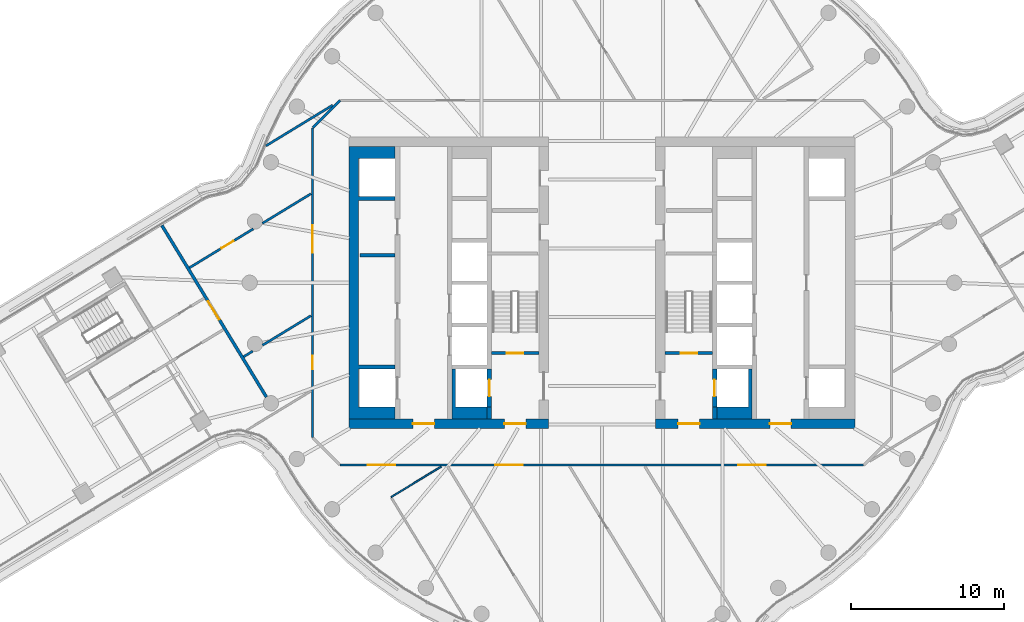
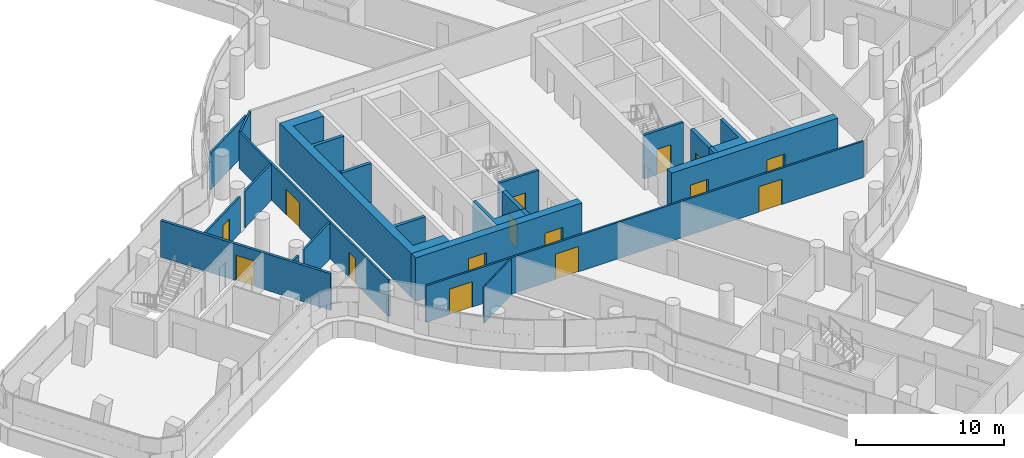
# One storey, part 22 of 35: 22 walls, 15 doors, 15 openings.
"""IFC4 building model written with IfcOpenShell, lengths in metres."""

from ifc_helpers import new_model, si_unit, direction, frame, frame_2d, origin, place, context, subcontext, project, spatial, polyline, rectangle, outline, extrude, material, layer, layer_set, type_object, element, fill, save


model = new_model("IFC4")

# Units and contexts
model_context = context("Model", 3, precision=1e-05, world=origin(), true_north=direction((0.0, 1.0)))
body_context = subcontext(model_context, "Body", "Model", "MODEL_VIEW")
ifc_project = project(units=[si_unit("LENGTHUNIT", "METRE"), si_unit("AREAUNIT", "SQUARE_METRE"), si_unit("VOLUMEUNIT", "CUBIC_METRE"), si_unit("PLANEANGLEUNIT", "RADIAN"), si_unit("MASSUNIT", "GRAM", prefix="KILO")], contexts=[model_context])

# Site, building, storey
site_placement = place(None, origin())
site = spatial("IfcSite", under=ifc_project, at=site_placement, CompositionType="ELEMENT")
building_placement = place(site_placement, origin())
building = spatial("IfcBuilding", under=site, at=building_placement, Name="Tamarind Cross Interchange Tower", CompositionType="ELEMENT")
storey_placement = place(building_placement, frame((0.0, 0.0, 148.0)))
storey = spatial("IfcBuildingStorey", under=building, at=storey_placement, Name="L36", CompositionType="ELEMENT", Elevation=148.0)

# Wall, openings, doors
ifc_material_1 = material(Name="Concrete C60", Category="concrete")
ifc_layer_1 = layer(ifc_material_1, 0.60009765625)
ifc_layer_set_1 = layer_set([ifc_layer_1], Name="Concrete C60")
wall_type_1 = type_object("IfcWallType", Name="Core wall 600 mm Concrete C60", PredefinedType="SHEAR", material=ifc_layer_set_1)
wall_1_placement = place(storey_placement, frame((-16.5, -9.199951171875, 0.0), z_axis=(0.0, 0.0, 1.0), x_axis=(1.0, 0.0, 0.0)))
wall_1 = element("IfcWall", 1, at=wall_1_placement, inside=storey, type_object=wall_type_1, Name="Core wall CWL-L36-W-S", PredefinedType="SHEAR", context=body_context, shape_type="SweptSolid", body=[
    extrude(rectangle(XDim=13.0, YDim=0.60009765625, at=frame_2d((6.5, 0.0))), origin(), (0.0, 0.0, 1.0), 3.610107421875),
])
opening_1_placement = place(wall_1_placement, frame((4.14990234375, 0.0, 0.0)))
opening_1 = element("IfcOpeningElement", 2, at=opening_1_placement, cuts=wall_1, Name="Opening DCW1", PredefinedType="OPENING", context=body_context, shape_type="SweptSolid", body=[
    extrude(rectangle(XDim=1.39990234375, YDim=2.10009765625, at=frame_2d((0.699951171875, 1.050048828125))), frame((0.0, 0.31005859375, 0.0), z_axis=(0.0, -1.0, 0.0), x_axis=(1.0, 0.0, 0.0)), (0.0, 0.0, 1.0), 0.6201171875),
])
opening_2_placement = place(wall_1_placement, frame((10.125, 0.0, 0.0)))
opening_2 = element("IfcOpeningElement", 3, at=opening_2_placement, cuts=wall_1, Name="Opening DCWF", PredefinedType="OPENING", context=body_context, shape_type="SweptSolid", body=[
    extrude(rectangle(XDim=1.39990234375, YDim=2.10009765625, at=frame_2d((0.699951171875, 1.050048828125))), frame((0.0, 0.31005859375, 0.0), z_axis=(0.0, -1.0, 0.0), x_axis=(1.0, 0.0, 0.0)), (0.0, 0.0, 1.0), 0.6201171875),
])
ifc_material_2 = material(Name="Steel, fire-resisting", Category="steel")
door_type_1 = type_object("IfcDoorType", Name="Core fire door 1400 x 2100 FD90", OperationType="SINGLE_SWING_LEFT", PredefinedType="DOOR", material=ifc_material_2)
door_1_placement = place(opening_1_placement, origin())
door_1 = element("IfcDoor", 4, at=door_1_placement, inside=storey, type_object=door_type_1, Name="L36 lift lobby door", OperationType="SINGLE_SWING_LEFT", OverallHeight=2.10009765625, OverallWidth=1.39990234375, PredefinedType="DOOR", context=body_context, shape_type="SweptSolid", body=[
    extrude(rectangle(XDim=1.39990234375, YDim=2.10009765625, at=frame_2d((0.699951171875, 1.050048828125))), frame((0.0, 0.02490234375, 0.0), z_axis=(0.0, -1.0, 0.0), x_axis=(1.0, 0.0, 0.0)), (0.0, 0.0, 1.0), 0.050048828125),
])
fill(opening_1, door_1)
door_2_placement = place(opening_2_placement, origin())
door_2 = element("IfcDoor", 5, at=door_2_placement, inside=storey, type_object=door_type_1, Name="L36 firefighting lobby end door", OperationType="SINGLE_SWING_LEFT", OverallHeight=2.10009765625, OverallWidth=1.39990234375, PredefinedType="DOOR", context=body_context, shape_type="SweptSolid", body=[
    extrude(rectangle(XDim=1.39990234375, YDim=2.10009765625, at=frame_2d((0.699951171875, 1.050048828125))), frame((0.0, 0.02490234375, 0.0), z_axis=(0.0, -1.0, 0.0), x_axis=(1.0, 0.0, 0.0)), (0.0, 0.0, 1.0), 0.050048828125),
])
fill(opening_2, door_2)

# Wall
wall_2_placement = place(storey_placement, origin())
element("IfcWall", 6, at=wall_2_placement, inside=storey, type_object=wall_type_1, Name="Core wall CWL-L36-W-A", PredefinedType="SHEAR", context=body_context, shape_type="SweptSolid", body=[
    extrude(outline(polyline([(-13.5, -8.125), (-15.89990234375, -8.125), (-15.89990234375, -5.625), (-13.5, -5.625), (-13.5, -5.375), (-15.89990234375, -5.375), (-15.89990234375, 5.375), (-13.5, 5.375), (-13.5, 5.625), (-15.89990234375, 5.625), (-15.89990234375, 8.125), (-13.5, 8.125), (-13.5, 8.89990234375), (-15.89990234375, 8.89990234375), (-16.5, 8.89990234375), (-16.5, -8.89990234375), (-15.89990234375, -8.89990234375), (-13.5, -8.89990234375), (-13.5, -8.125)])), origin(), (0.0, 0.0, 1.0), 3.610107421875),
])

# Wall, openings, doors
wall_3_placement = place(storey_placement, frame((16.5, -9.199951171875, 0.0), z_axis=(0.0, 0.0, 1.0), x_axis=(-1.0, 0.0, 0.0)))
wall_3 = element("IfcWall", 7, at=wall_3_placement, inside=storey, type_object=wall_type_1, Name="Core wall CWL-L36-E-S", PredefinedType="SHEAR", context=body_context, shape_type="SweptSolid", body=[
    extrude(rectangle(XDim=13.0, YDim=0.60009765625, at=frame_2d((6.5, 0.0))), origin(), (0.0, 0.0, 1.0), 3.610107421875),
])
opening_3_placement = place(wall_3_placement, frame((4.14990234375, 0.0, 0.0)))
opening_3 = element("IfcOpeningElement", 8, at=opening_3_placement, cuts=wall_3, Name="Opening DCE1", PredefinedType="OPENING", context=body_context, shape_type="SweptSolid", body=[
    extrude(rectangle(XDim=1.39990234375, YDim=2.10009765625, at=frame_2d((0.699951171875, 1.050048828125))), frame((0.0, 0.31005859375, 0.0), z_axis=(0.0, -1.0, 0.0), x_axis=(1.0, 0.0, 0.0)), (0.0, 0.0, 1.0), 0.6201171875),
])
opening_4_placement = place(wall_3_placement, frame((10.125, 0.0, 0.0)))
opening_4 = element("IfcOpeningElement", 9, at=opening_4_placement, cuts=wall_3, Name="Opening DCEF", PredefinedType="OPENING", context=body_context, shape_type="SweptSolid", body=[
    extrude(rectangle(XDim=1.39990234375, YDim=2.10009765625, at=frame_2d((0.699951171875, 1.050048828125))), frame((0.0, 0.31005859375, 0.0), z_axis=(0.0, -1.0, 0.0), x_axis=(1.0, 0.0, 0.0)), (0.0, 0.0, 1.0), 0.6201171875),
])
door_3_placement = place(opening_3_placement, origin())
door_3 = element("IfcDoor", 10, at=door_3_placement, inside=storey, type_object=door_type_1, Name="L36 lift lobby door", OperationType="SINGLE_SWING_LEFT", OverallHeight=2.10009765625, OverallWidth=1.39990234375, PredefinedType="DOOR", context=body_context, shape_type="SweptSolid", body=[
    extrude(rectangle(XDim=1.39990234375, YDim=2.10009765625, at=frame_2d((0.699951171875, 1.050048828125))), frame((0.0, 0.02490234375, 0.0), z_axis=(0.0, -1.0, 0.0), x_axis=(1.0, 0.0, 0.0)), (0.0, 0.0, 1.0), 0.050048828125),
])
fill(opening_3, door_3)
door_4_placement = place(opening_4_placement, origin())
door_4 = element("IfcDoor", 11, at=door_4_placement, inside=storey, type_object=door_type_1, Name="L36 firefighting lobby end door", OperationType="SINGLE_SWING_LEFT", OverallHeight=2.10009765625, OverallWidth=1.39990234375, PredefinedType="DOOR", context=body_context, shape_type="SweptSolid", body=[
    extrude(rectangle(XDim=1.39990234375, YDim=2.10009765625, at=frame_2d((0.699951171875, 1.050048828125))), frame((0.0, 0.02490234375, 0.0), z_axis=(0.0, -1.0, 0.0), x_axis=(1.0, 0.0, 0.0)), (0.0, 0.0, 1.0), 0.050048828125),
])
fill(opening_4, door_4)

# Walls
ifc_layer_2 = layer(ifc_material_1, 0.300048828125)
ifc_layer_set_2 = layer_set([ifc_layer_2], Name="Concrete C60")
wall_type_2 = type_object("IfcWallType", Name="Core web wall 300 mm Concrete C60", PredefinedType="SHEAR", material=ifc_layer_set_2)
wall_4_placement = place(storey_placement, origin())
element("IfcWall", 12, at=wall_4_placement, inside=storey, type_object=wall_type_2, Name="Core wall CWL-L36-W-BS", PredefinedType="SHEAR", context=body_context, shape_type="SweptSolid", body=[
    extrude(outline(polyline([(-7.5, -8.125), (-9.550048828125, -8.125), (-9.550048828125, -5.625), (-9.800048828125, -5.625), (-9.800048828125, -8.125), (-9.800048828125, -8.89990234375), (-7.5, -8.89990234375), (-7.5, -8.125)])), origin(), (0.0, 0.0, 1.0), 3.610107421875),
])
wall_5_placement = place(storey_placement, frame((-7.35009765625, -8.89990234375, 0.0), z_axis=(0.0, 0.0, 1.0), x_axis=(0.0, 1.0, 0.0)))
element("IfcWall", 13, at=wall_5_placement, inside=storey, type_object=wall_type_2, Name="Core wall CWL-L36-W-BW", PredefinedType="SHEAR", context=body_context, shape_type="SweptSolid", body=[
    extrude(rectangle(XDim=0.77490234375, YDim=0.300048828125, at=frame_2d((0.387451171875, 0.0))), origin(), (0.0, 0.0, 1.0), 3.610107421875),
])

# Wall, opening, door
wall_6_placement = place(storey_placement, frame((-7.35009765625, -8.125, 0.0), z_axis=(0.0, 0.0, 1.0), x_axis=(0.0, 1.0, 0.0)))
wall_6 = element("IfcWall", 14, at=wall_6_placement, inside=storey, type_object=wall_type_2, Name="Core wall CWL-L36-W-FF", PredefinedType="SHEAR", context=body_context, shape_type="SweptSolid", body=[
    extrude(rectangle(XDim=2.5, YDim=0.300048828125, at=frame_2d((1.25, 0.0))), origin(), (0.0, 0.0, 1.0), 3.610107421875),
])
opening_5_placement = place(wall_6_placement, frame((0.699951171875, 0.0, 0.0)))
opening_5 = element("IfcOpeningElement", 15, at=opening_5_placement, cuts=wall_6, Name="Opening LD7L36", PredefinedType="OPENING", context=body_context, shape_type="SweptSolid", body=[
    extrude(rectangle(XDim=1.10009765625, YDim=2.10009765625, at=frame_2d((0.550048828125, 1.050048828125))), frame((0.0, 0.159912109375, 0.0), z_axis=(0.0, -1.0, 0.0), x_axis=(1.0, 0.0, 0.0)), (0.0, 0.0, 1.0), 0.320068359375),
])
ifc_material_3 = material(Name="Stainless steel panel", Category="steel")
door_type_2 = type_object("IfcDoorType", Name="Lift landing door 1100 x 2100 E 120", OperationType="SLIDING_TO_LEFT", PredefinedType="DOOR", material=ifc_material_3)
door_5_placement = place(opening_5_placement, origin())
door_5 = element("IfcDoor", 16, at=door_5_placement, inside=storey, type_object=door_type_2, Name="L36 landing door LF7", OperationType="SLIDING_TO_LEFT", OverallHeight=2.10009765625, OverallWidth=1.10009765625, PredefinedType="DOOR", context=body_context, shape_type="SweptSolid", body=[
    extrude(rectangle(XDim=1.10009765625, YDim=2.10009765625, at=frame_2d((0.550048828125, 1.050048828125))), frame((0.0, 0.02490234375, 0.0), z_axis=(0.0, -1.0, 0.0), x_axis=(1.0, 0.0, 0.0)), (0.0, 0.0, 1.0), 0.050048828125),
])
fill(opening_5, door_5)

# Walls
wall_7_placement = place(storey_placement, origin())
element("IfcWall", 17, at=wall_7_placement, inside=storey, type_object=wall_type_2, Name="Core wall CWL-L36-E-BS", PredefinedType="SHEAR", context=body_context, shape_type="SweptSolid", body=[
    extrude(outline(polyline([(7.5, -8.125), (7.5, -8.89990234375), (9.800048828125, -8.89990234375), (9.800048828125, -8.125), (9.800048828125, -5.625), (9.550048828125, -5.625), (9.550048828125, -8.125), (7.5, -8.125)])), origin(), (0.0, 0.0, 1.0), 3.610107421875),
])
wall_8_placement = place(storey_placement, frame((7.35009765625, -8.89990234375, 0.0), z_axis=(0.0, 0.0, 1.0), x_axis=(0.0, 1.0, 0.0)))
element("IfcWall", 18, at=wall_8_placement, inside=storey, type_object=wall_type_2, Name="Core wall CWL-L36-E-BW", PredefinedType="SHEAR", context=body_context, shape_type="SweptSolid", body=[
    extrude(rectangle(XDim=0.77490234375, YDim=0.300048828125, at=frame_2d((0.387451171875, 0.0))), origin(), (0.0, 0.0, 1.0), 3.610107421875),
])

# Wall, opening, door
wall_9_placement = place(storey_placement, frame((7.35009765625, -8.125, 0.0), z_axis=(0.0, 0.0, 1.0), x_axis=(0.0, 1.0, 0.0)))
wall_9 = element("IfcWall", 19, at=wall_9_placement, inside=storey, type_object=wall_type_2, Name="Core wall CWL-L36-E-FF", PredefinedType="SHEAR", context=body_context, shape_type="SweptSolid", body=[
    extrude(rectangle(XDim=2.5, YDim=0.300048828125, at=frame_2d((1.25, 0.0))), origin(), (0.0, 0.0, 1.0), 3.610107421875),
])
opening_6_placement = place(wall_9_placement, frame((0.699951171875, 0.0, 0.0)))
opening_6 = element("IfcOpeningElement", 20, at=opening_6_placement, cuts=wall_9, Name="Opening LD19L36", PredefinedType="OPENING", context=body_context, shape_type="SweptSolid", body=[
    extrude(rectangle(XDim=1.10009765625, YDim=2.10009765625, at=frame_2d((0.550048828125, 1.050048828125))), frame((0.0, 0.159912109375, 0.0), z_axis=(0.0, -1.0, 0.0), x_axis=(1.0, 0.0, 0.0)), (0.0, 0.0, 1.0), 0.320068359375),
])
door_6_placement = place(opening_6_placement, origin())
door_6 = element("IfcDoor", 21, at=door_6_placement, inside=storey, type_object=door_type_2, Name="L36 landing door LF19", OperationType="SLIDING_TO_LEFT", OverallHeight=2.10009765625, OverallWidth=1.10009765625, PredefinedType="DOOR", context=body_context, shape_type="SweptSolid", body=[
    extrude(rectangle(XDim=1.10009765625, YDim=2.10009765625, at=frame_2d((0.550048828125, 1.050048828125))), frame((0.0, 0.02490234375, 0.0), z_axis=(0.0, -1.0, 0.0), x_axis=(1.0, 0.0, 0.0)), (0.0, 0.0, 1.0), 0.050048828125),
])
fill(opening_6, door_6)

# Wall
ifc_material_4 = material(Name="Gypsum board partition on steel studs", Category="steel")
ifc_layer_3 = layer(ifc_material_4, 0.10009765625)
ifc_layer_set_3 = layer_set([ifc_layer_3], Name="Gypsum board partition on steel studs")
wall_type_3 = type_object("IfcWallType", Name="Partition 100 mm EI 120", PredefinedType="PARTITIONING", material=ifc_layer_set_3)
wall_10_placement = place(storey_placement, frame((-13.77294921875, -13.99609375, 0.0), z_axis=(0.0, 0.0, 1.0), x_axis=(0.85407452776, 0.520150652245, 0.0)))
element("IfcWall", 22, at=wall_10_placement, inside=storey, type_object=wall_type_3, Name="Partition L36-047", PredefinedType="PARTITIONING", context=body_context, shape_type="SweptSolid", body=[
    extrude(rectangle(XDim=3.83984375, YDim=0.10009765625, at=frame_2d((1.919921875, 0.0))), origin(), (0.0, 0.0, 1.0), 3.010009765625),
])

# Wall, openings, doors
ifc_layer_4 = layer(ifc_material_4, 0.14990234375)
ifc_layer_set_4 = layer_set([ifc_layer_4], Name="Gypsum board partition on steel studs")
wall_type_4 = type_object("IfcWallType", Name="Partition 150 mm EI 120", PredefinedType="PARTITIONING", material=ifc_layer_set_4)
wall_11_placement = place(storey_placement, frame((-17.10009765625, -11.89990234375, 0.0), z_axis=(0.0, 0.0, 1.0), x_axis=(1.0, 0.0, 0.0)))
wall_11 = element("IfcWall", 23, at=wall_11_placement, inside=storey, type_object=wall_type_4, Name="Partition L36-034", PredefinedType="PARTITIONING", context=body_context, shape_type="SweptSolid", body=[
    extrude(rectangle(XDim=34.1650390625, YDim=0.14990234375, at=frame_2d((17.08251953125, 0.0))), origin(), (0.0, 0.0, 1.0), 3.010009765625),
])
opening_7_placement = place(wall_11_placement, frame((10.116943359375, 0.0, 0.0)))
opening_7 = element("IfcOpeningElement", 24, at=opening_7_placement, cuts=wall_11, Name="Opening D21", PredefinedType="OPENING", context=body_context, shape_type="SweptSolid", body=[
    extrude(rectangle(XDim=1.800048828125, YDim=2.10009765625, at=frame_2d((0.89990234375, 1.050048828125))), frame((0.0, 0.0849609375, 0.0), z_axis=(0.0, -1.0, 0.0), x_axis=(1.0, 0.0, 0.0)), (0.0, 0.0, 1.0), 0.169921875),
])
opening_8_placement = place(wall_11_placement, frame((1.800048828125, 0.0, 0.0)))
opening_8 = element("IfcOpeningElement", 25, at=opening_8_placement, cuts=wall_11, Name="Opening D22", PredefinedType="OPENING", context=body_context, shape_type="SweptSolid", body=[
    extrude(rectangle(XDim=1.800048828125, YDim=2.10009765625, at=frame_2d((0.89990234375, 1.050048828125))), frame((0.0, 0.0849609375, 0.0), z_axis=(0.0, -1.0, 0.0), x_axis=(1.0, 0.0, 0.0)), (0.0, 0.0, 1.0), 0.169921875),
])
opening_9_placement = place(wall_11_placement, frame((25.9970703125, 0.0, 0.0)))
opening_9 = element("IfcOpeningElement", 26, at=opening_9_placement, cuts=wall_11, Name="Opening D23", PredefinedType="OPENING", context=body_context, shape_type="SweptSolid", body=[
    extrude(rectangle(XDim=1.800048828125, YDim=2.10009765625, at=frame_2d((0.89990234375, 1.050048828125))), frame((0.0, 0.0849609375, 0.0), z_axis=(0.0, -1.0, 0.0), x_axis=(1.0, 0.0, 0.0)), (0.0, 0.0, 1.0), 0.169921875),
])
ifc_material_5 = material(Name="Fire-resisting door set")
door_type_3 = type_object("IfcDoorType", Name="Interior door 1800 x 2100 FD60S", OperationType="DOUBLE_DOOR_SINGLE_SWING", PredefinedType="DOOR", material=ifc_material_5)
door_7_placement = place(opening_7_placement, origin())
door_7 = element("IfcDoor", 27, at=door_7_placement, inside=storey, type_object=door_type_3, Name="Door D21", OperationType="DOUBLE_DOOR_SINGLE_SWING", OverallHeight=2.10009765625, OverallWidth=1.800048828125, PredefinedType="DOOR", context=body_context, shape_type="SweptSolid", body=[
    extrude(rectangle(XDim=1.800048828125, YDim=2.10009765625, at=frame_2d((0.89990234375, 1.050048828125))), frame((0.0, 0.02490234375, 0.0), z_axis=(0.0, -1.0, 0.0), x_axis=(1.0, 0.0, 0.0)), (0.0, 0.0, 1.0), 0.050048828125),
])
fill(opening_7, door_7)
door_8_placement = place(opening_8_placement, frame((1.800048828125, 0.0, 0.0), z_axis=(0.0, 0.0, 1.0), x_axis=(-1.0, 0.0, 0.0)))
door_8 = element("IfcDoor", 28, at=door_8_placement, inside=storey, type_object=door_type_3, Name="Door D22", OperationType="DOUBLE_DOOR_SINGLE_SWING", OverallHeight=2.10009765625, OverallWidth=1.800048828125, PredefinedType="DOOR", context=body_context, shape_type="SweptSolid", body=[
    extrude(rectangle(XDim=1.800048828125, YDim=2.10009765625, at=frame_2d((0.89990234375, 1.050048828125))), frame((0.0, 0.02490234375, 0.0), z_axis=(0.0, -1.0, 0.0), x_axis=(1.0, 0.0, 0.0)), (0.0, 0.0, 1.0), 0.050048828125),
])
fill(opening_8, door_8)
door_9_placement = place(opening_9_placement, frame((1.800048828125, 0.0, 0.0), z_axis=(0.0, 0.0, 1.0), x_axis=(-1.0, 0.0, 0.0)))
door_9 = element("IfcDoor", 29, at=door_9_placement, inside=storey, type_object=door_type_3, Name="Door D23", OperationType="DOUBLE_DOOR_SINGLE_SWING", OverallHeight=2.10009765625, OverallWidth=1.800048828125, PredefinedType="DOOR", context=body_context, shape_type="SweptSolid", body=[
    extrude(rectangle(XDim=1.800048828125, YDim=2.10009765625, at=frame_2d((0.89990234375, 1.050048828125))), frame((0.0, 0.02490234375, 0.0), z_axis=(0.0, -1.0, 0.0), x_axis=(1.0, 0.0, 0.0)), (0.0, 0.0, 1.0), 0.050048828125),
])
fill(opening_9, door_9)

# Wall, opening, door
wall_12_placement = place(storey_placement, frame((-26.9287109375, 0.97900390625, 0.0), z_axis=(0.0, 0.0, 1.0), x_axis=(0.854066999717, 0.520163012905, 0.0)))
wall_12 = element("IfcWall", 30, at=wall_12_placement, inside=storey, type_object=wall_type_4, Name="Partition L36-038", PredefinedType="PARTITIONING", context=body_context, shape_type="SweptSolid", body=[
    extrude(rectangle(XDim=4.874755859375, YDim=0.14990234375, at=frame_2d((2.4375, 0.0))), origin(), (0.0, 0.0, 1.0), 3.010009765625),
])
opening_10_placement = place(wall_12_placement, frame((2.449951171875, 0.0, 0.0)))
opening_10 = element("IfcOpeningElement", 31, at=opening_10_placement, cuts=wall_12, Name="Opening D30", PredefinedType="OPENING", context=body_context, shape_type="SweptSolid", body=[
    extrude(rectangle(XDim=0.89990234375, YDim=2.10009765625, at=frame_2d((0.449951171875, 1.050048828125))), frame((0.0, 0.0849609375, 0.0), z_axis=(0.0, -1.0, 0.0), x_axis=(1.0, 0.0, 0.0)), (0.0, 0.0, 1.0), 0.169921875),
])
door_type_4 = type_object("IfcDoorType", Name="Interior door 900 x 2100 FD60S", OperationType="SINGLE_SWING_LEFT", PredefinedType="DOOR", material=ifc_material_5)
door_10_placement = place(opening_10_placement, origin())
door_10 = element("IfcDoor", 32, at=door_10_placement, inside=storey, type_object=door_type_4, Name="Door D30", OperationType="SINGLE_SWING_LEFT", OverallHeight=2.10009765625, OverallWidth=0.89990234375, PredefinedType="DOOR", context=body_context, shape_type="SweptSolid", body=[
    extrude(rectangle(XDim=0.89990234375, YDim=2.10009765625, at=frame_2d((0.449951171875, 1.050048828125))), frame((0.0, 0.02490234375, 0.0), z_axis=(0.0, -1.0, 0.0), x_axis=(1.0, 0.0, 0.0)), (0.0, 0.0, 1.0), 0.050048828125),
])
fill(opening_10, door_10)

# Walls
wall_13_placement = place(storey_placement, frame((-22.172119140625, 3.8759765625, 0.0), z_axis=(0.0, 0.0, 1.0), x_axis=(0.854053899757, 0.520184521406, 0.0)))
element("IfcWall", 33, at=wall_13_placement, inside=storey, type_object=wall_type_4, Name="Partition L36-039", PredefinedType="PARTITIONING", context=body_context, shape_type="SweptSolid", body=[
    extrude(rectangle(XDim=3.71630859375, YDim=0.14990234375, at=frame_2d((1.858154296875, 0.0))), origin(), (0.0, 0.0, 1.0), 3.010009765625),
])
wall_14_placement = place(storey_placement, frame((-23.3916015625, -4.827880859375, 0.0), z_axis=(0.0, 0.0, 1.0), x_axis=(0.854171525625, 0.519991350708, 0.0)))
element("IfcWall", 34, at=wall_14_placement, inside=storey, type_object=wall_type_4, Name="Partition L36-040", PredefinedType="PARTITIONING", context=body_context, shape_type="SweptSolid", body=[
    extrude(rectangle(XDim=0.69775390625, YDim=0.14990234375, at=frame_2d((0.348876953125, 0.0))), origin(), (0.0, 0.0, 1.0), 3.010009765625),
])
wall_15_placement = place(storey_placement, frame((-22.163818359375, -4.080322265625, 0.0), z_axis=(0.0, 0.0, 1.0), x_axis=(0.854120951194, 0.520074418454, 0.0)))
element("IfcWall", 35, at=wall_15_placement, inside=storey, type_object=wall_type_4, Name="Partition L36-041", PredefinedType="PARTITIONING", context=body_context, shape_type="SweptSolid", body=[
    extrude(rectangle(XDim=3.706298828125, YDim=0.14990234375, at=frame_2d((1.85302734375, 0.0))), origin(), (0.0, 0.0, 1.0), 3.010009765625),
])
wall_16_placement = place(storey_placement, frame((-21.939453125, 8.935302734375, 0.0), z_axis=(0.0, 0.0, 1.0), x_axis=(0.854032920273, 0.520218964562, 0.0)))
element("IfcWall", 36, at=wall_16_placement, inside=storey, type_object=wall_type_4, Name="Partition L36-043", PredefinedType="PARTITIONING", context=body_context, shape_type="SweptSolid", body=[
    extrude(rectangle(XDim=5.09619140625, YDim=0.14990234375, at=frame_2d((2.548095703125, 0.0))), origin(), (0.0, 0.0, 1.0), 3.010009765625),
])
wall_17_placement = place(storey_placement, frame((-18.87158203125, 10.12841796875, 0.0), z_axis=(0.0, 0.0, 1.0), x_axis=(0.707106781187, 0.707106781187, 0.0)))
element("IfcWall", 37, at=wall_17_placement, inside=storey, type_object=wall_type_4, Name="Partition L36-072", PredefinedType="PARTITIONING", context=body_context, shape_type="SweptSolid", body=[
    extrude(rectangle(XDim=2.50537109375, YDim=0.14990234375, at=frame_2d((1.252685546875, 0.0))), origin(), (0.0, 0.0, 1.0), 3.010009765625),
])

# Wall, openings, doors
wall_18_placement = place(storey_placement, frame((-18.89990234375, -10.10009765625, 0.0), z_axis=(0.0, 0.0, 1.0), x_axis=(0.0, 1.0, 0.0)))
wall_18 = element("IfcWall", 38, at=wall_18_placement, inside=storey, type_object=wall_type_4, Name="Partition L36-074", PredefinedType="PARTITIONING", context=body_context, shape_type="SweptSolid", body=[
    extrude(rectangle(XDim=20.2001953125, YDim=0.14990234375, at=frame_2d((10.10009765625, 0.0))), origin(), (0.0, 0.0, 1.0), 3.010009765625),
])
opening_11_placement = place(wall_18_placement, frame((12.056884765625, 0.0, 0.0)))
opening_11 = element("IfcOpeningElement", 39, at=opening_11_placement, cuts=wall_18, Name="Opening D40", PredefinedType="OPENING", context=body_context, shape_type="SweptSolid", body=[
    extrude(rectangle(XDim=1.800048828125, YDim=2.10009765625, at=frame_2d((0.89990234375, 1.050048828125))), frame((0.0, 0.0849609375, 0.0), z_axis=(0.0, -1.0, 0.0), x_axis=(1.0, 0.0, 0.0)), (0.0, 0.0, 1.0), 0.169921875),
])
opening_12_placement = place(wall_18_placement, frame((4.43896484375, 0.0, 0.0)))
opening_12 = element("IfcOpeningElement", 40, at=opening_12_placement, cuts=wall_18, Name="Opening D41", PredefinedType="OPENING", context=body_context, shape_type="SweptSolid", body=[
    extrude(rectangle(XDim=0.89990234375, YDim=2.10009765625, at=frame_2d((0.449951171875, 1.050048828125))), frame((0.0, 0.0849609375, 0.0), z_axis=(0.0, -1.0, 0.0), x_axis=(1.0, 0.0, 0.0)), (0.0, 0.0, 1.0), 0.169921875),
])
door_11_placement = place(opening_11_placement, frame((1.800048828125, 0.0, 0.0), z_axis=(0.0, 0.0, 1.0), x_axis=(-1.0, 0.0, 0.0)))
door_11 = element("IfcDoor", 41, at=door_11_placement, inside=storey, type_object=door_type_3, Name="Door D40", OperationType="DOUBLE_DOOR_SINGLE_SWING", OverallHeight=2.10009765625, OverallWidth=1.800048828125, PredefinedType="DOOR", context=body_context, shape_type="SweptSolid", body=[
    extrude(rectangle(XDim=1.800048828125, YDim=2.10009765625, at=frame_2d((0.89990234375, 1.050048828125))), frame((0.0, 0.02490234375, 0.0), z_axis=(0.0, -1.0, 0.0), x_axis=(1.0, 0.0, 0.0)), (0.0, 0.0, 1.0), 0.050048828125),
])
fill(opening_11, door_11)
door_12_placement = place(opening_12_placement, origin())
door_12 = element("IfcDoor", 42, at=door_12_placement, inside=storey, type_object=door_type_4, Name="Door D41", OperationType="SINGLE_SWING_RIGHT", OverallHeight=2.10009765625, OverallWidth=0.89990234375, PredefinedType="DOOR", context=body_context, shape_type="SweptSolid", body=[
    extrude(rectangle(XDim=0.89990234375, YDim=2.10009765625, at=frame_2d((0.449951171875, 1.050048828125))), frame((0.0, 0.02490234375, 0.0), z_axis=(0.0, -1.0, 0.0), x_axis=(1.0, 0.0, 0.0)), (0.0, 0.0, 1.0), 0.050048828125),
])
fill(opening_12, door_12)

# Wall, opening, door
ifc_layer_5 = layer(ifc_material_4, 0.199951171875)
ifc_layer_set_5 = layer_set([ifc_layer_5], Name="Gypsum board partition on steel studs")
wall_type_5 = type_object("IfcWallType", Name="Partition 200 mm EI 180", PredefinedType="PARTITIONING", material=ifc_layer_set_5)
wall_19_placement = place(storey_placement, frame((-28.730224609375, 3.74462890625, 0.0), z_axis=(0.0, 0.0, 1.0), x_axis=(0.520124017565, -0.854090748312, 0.0)))
wall_19 = element("IfcWall", 43, at=wall_19_placement, inside=storey, type_object=wall_type_5, Name="Partition L36-003", PredefinedType="PARTITIONING", context=body_context, shape_type="SweptSolid", body=[
    extrude(rectangle(XDim=13.121337890625, YDim=0.199951171875, at=frame_2d((6.560546875, 0.0))), origin(), (0.0, 0.0, 1.0), 3.010009765625),
])
opening_13_placement = place(wall_19_placement, frame((5.799072265625, 0.0, 0.0)))
opening_13 = element("IfcOpeningElement", 44, at=opening_13_placement, cuts=wall_19, Name="Opening D02", PredefinedType="OPENING", context=body_context, shape_type="SweptSolid", body=[
    extrude(rectangle(XDim=1.39990234375, YDim=2.10009765625, at=frame_2d((0.699951171875, 1.050048828125))), frame((0.0, 0.10986328125, 0.0), z_axis=(0.0, -1.0, 0.0), x_axis=(1.0, 0.0, 0.0)), (0.0, 0.0, 1.0), 0.219970703125),
])
door_type_5 = type_object("IfcDoorType", Name="Interior door 1400 x 2100 FD120S", OperationType="DOUBLE_DOOR_SINGLE_SWING", PredefinedType="DOOR", material=ifc_material_5)
door_13_placement = place(opening_13_placement, origin())
door_13 = element("IfcDoor", 45, at=door_13_placement, inside=storey, type_object=door_type_5, Name="Door D02", OperationType="DOUBLE_DOOR_SINGLE_SWING", OverallHeight=2.10009765625, OverallWidth=1.39990234375, PredefinedType="DOOR", context=body_context, shape_type="SweptSolid", body=[
    extrude(rectangle(XDim=1.39990234375, YDim=2.10009765625, at=frame_2d((0.699951171875, 1.050048828125))), frame((0.0, 0.02490234375, 0.0), z_axis=(0.0, -1.0, 0.0), x_axis=(1.0, 0.0, 0.0)), (0.0, 0.0, 1.0), 0.050048828125),
])
fill(opening_13, door_13)

# Wall
ifc_material_6 = material(Name="Concrete C40", Category="concrete")
ifc_layer_6 = layer(ifc_material_6, 0.25)
ifc_layer_set_6 = layer_set([ifc_layer_6], Name="Concrete C40")
wall_type_6 = type_object("IfcWallType", Name="Shaft and lobby wall 250 mm Concrete C40", PredefinedType="PARTITIONING", material=ifc_layer_set_6)
wall_20_placement = place(storey_placement, frame((-15.800048828125, 1.7919921875, 0.0), z_axis=(0.0, 0.0, 1.0), x_axis=(1.0, 0.0, 0.0)))
element("IfcWall", 46, at=wall_20_placement, inside=storey, type_object=wall_type_6, Name="Shaft wall CWL-L36-W-FPA1", PredefinedType="PARTITIONING", context=body_context, shape_type="SweptSolid", body=[
    extrude(rectangle(XDim=2.300048828125, YDim=0.25, at=frame_2d((1.14990234375, 0.0))), origin(), (0.0, 0.0, 1.0), 3.610107421875),
])

# Wall, opening, door
ifc_layer_7 = layer(ifc_material_6, 0.199951171875)
ifc_layer_set_7 = layer_set([ifc_layer_7], Name="Concrete C40")
wall_type_7 = type_object("IfcWallType", Name="Stair shaft wall 200 mm Concrete C40", PredefinedType="SHEAR", material=ifc_layer_set_7)
wall_21_placement = place(storey_placement, frame((-7.199951171875, -4.60009765625, 0.0), z_axis=(0.0, 0.0, 1.0), x_axis=(1.0, 0.0, 0.0)))
wall_21 = element("IfcWall", 47, at=wall_21_placement, inside=storey, type_object=wall_type_7, Name="Core wall CWL-L36-W-SD", PredefinedType="SHEAR", context=body_context, shape_type="SweptSolid", body=[
    extrude(rectangle(XDim=3.099853515625, YDim=0.199951171875, at=frame_2d((1.5498046875, 0.0))), origin(), (0.0, 0.0, 1.0), 3.610107421875),
])
opening_14_placement = place(wall_21_placement, frame((0.97509765625, 0.0, 0.0)))
opening_14 = element("IfcOpeningElement", 48, at=opening_14_placement, cuts=wall_21, Name="Opening DCW6", PredefinedType="OPENING", context=body_context, shape_type="SweptSolid", body=[
    extrude(rectangle(XDim=1.10009765625, YDim=2.10009765625, at=frame_2d((0.550048828125, 1.050048828125))), frame((0.0, 0.10986328125, 0.0), z_axis=(0.0, -1.0, 0.0), x_axis=(1.0, 0.0, 0.0)), (0.0, 0.0, 1.0), 0.219970703125),
])
door_type_6 = type_object("IfcDoorType", Name="Core fire door 1100 x 2100 FD90", OperationType="SINGLE_SWING_LEFT", PredefinedType="DOOR", material=ifc_material_2)
door_14_placement = place(opening_14_placement, origin())
door_14 = element("IfcDoor", 49, at=door_14_placement, inside=storey, type_object=door_type_6, Name="L36 stair door", OperationType="SINGLE_SWING_LEFT", OverallHeight=2.10009765625, OverallWidth=1.10009765625, PredefinedType="DOOR", context=body_context, shape_type="SweptSolid", body=[
    extrude(rectangle(XDim=1.10009765625, YDim=2.10009765625, at=frame_2d((0.550048828125, 1.050048828125))), frame((0.0, 0.02490234375, 0.0), z_axis=(0.0, -1.0, 0.0), x_axis=(1.0, 0.0, 0.0)), (0.0, 0.0, 1.0), 0.050048828125),
])
fill(opening_14, door_14)

wall_22_placement = place(storey_placement, frame((7.199951171875, -4.60009765625, 0.0), z_axis=(0.0, 0.0, 1.0), x_axis=(-1.0, 0.0, 0.0)))
wall_22 = element("IfcWall", 50, at=wall_22_placement, inside=storey, type_object=wall_type_7, Name="Core wall CWL-L36-E-SD", PredefinedType="SHEAR", context=body_context, shape_type="SweptSolid", body=[
    extrude(rectangle(XDim=3.099853515625, YDim=0.199951171875, at=frame_2d((1.5498046875, 0.0))), origin(), (0.0, 0.0, 1.0), 3.610107421875),
])
opening_15_placement = place(wall_22_placement, frame((0.97509765625, 0.0, 0.0)))
opening_15 = element("IfcOpeningElement", 51, at=opening_15_placement, cuts=wall_22, Name="Opening DCE6", PredefinedType="OPENING", context=body_context, shape_type="SweptSolid", body=[
    extrude(rectangle(XDim=1.10009765625, YDim=2.10009765625, at=frame_2d((0.550048828125, 1.050048828125))), frame((0.0, 0.10986328125, 0.0), z_axis=(0.0, -1.0, 0.0), x_axis=(1.0, 0.0, 0.0)), (0.0, 0.0, 1.0), 0.219970703125),
])
door_15_placement = place(opening_15_placement, origin())
door_15 = element("IfcDoor", 52, at=door_15_placement, inside=storey, type_object=door_type_6, Name="L36 stair door", OperationType="SINGLE_SWING_LEFT", OverallHeight=2.10009765625, OverallWidth=1.10009765625, PredefinedType="DOOR", context=body_context, shape_type="SweptSolid", body=[
    extrude(rectangle(XDim=1.10009765625, YDim=2.10009765625, at=frame_2d((0.550048828125, 1.050048828125))), frame((0.0, 0.02490234375, 0.0), z_axis=(0.0, -1.0, 0.0), x_axis=(1.0, 0.0, 0.0)), (0.0, 0.0, 1.0), 0.050048828125),
])
fill(opening_15, door_15)

save(model, "model.ifc")
